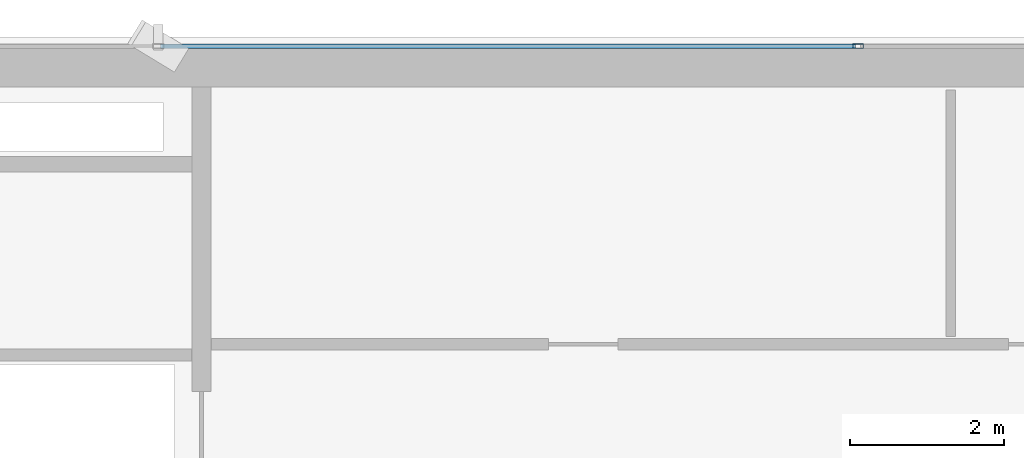
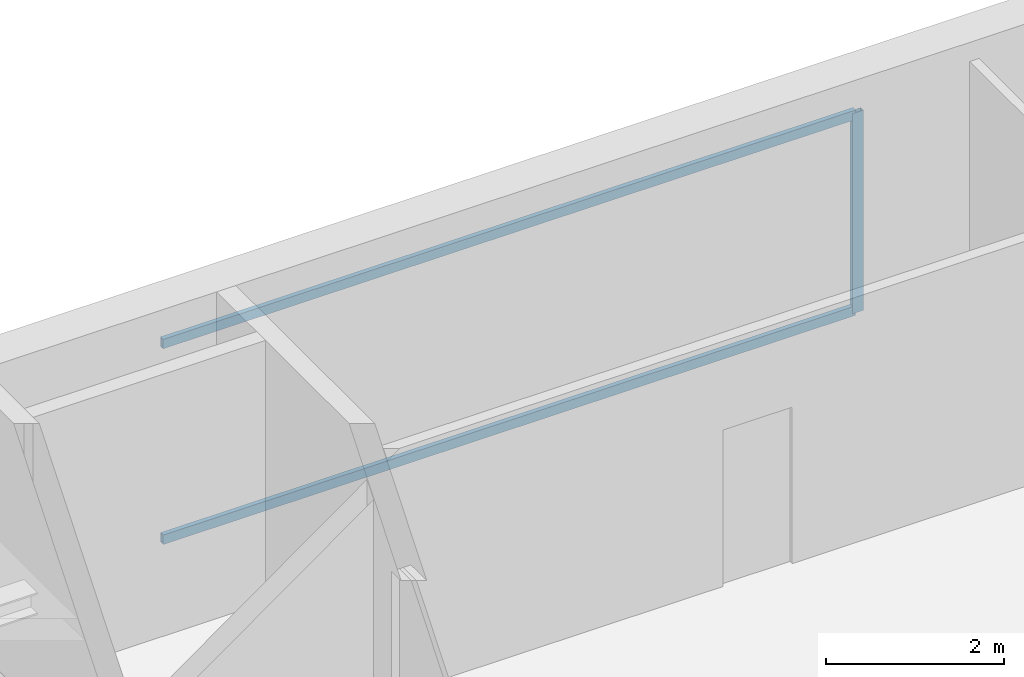
# One storey, part 16 of 26: 3 members, 1 element without a shape of its own.
"""IFC4 building model written with IfcOpenShell, lengths in metres."""

import ifcopenshell
import ifcopenshell.guid

model = None  # the IFC model being written
_history = None  # IfcOwnerHistory: only IFC2X3 demands one
_inside = {}  # id of a spatial element -> (the spatial element, [elements in it])
_under = {}  # id of a project, library or spatial element -> (it, [spatial elements below it])
_declared = {}  # id of a project -> (the project, [libraries it declares])
_typed = {}  # id of a type object -> (the type object, [elements of that type])
_made_of = {}  # id of a material, layer set ... -> (it, [elements and type objects made of it])


def new_model(schema):
    """Start an empty IFC model of exactly this schema.

    Asked for "IFC4X3", IfcOpenShell would pick the latest addendum, in which some entities
    have other attributes; the version numbers below select the first issue.
    IFC2X3 requires an IfcOwnerHistory on every rooted entity: one is made here for all.
    """
    global model, _history
    if schema == "IFC4X3":
        model = ifcopenshell.file(schema_version=(4, 3, 0, 0))
    else:
        model = ifcopenshell.file(schema=schema)
    _inside.clear()
    _under.clear()
    _declared.clear()
    _typed.clear()
    _made_of.clear()
    _history = None
    if model.schema == "IFC2X3":
        org = make("IfcOrganization", Name="unknown")
        user = make(
            "IfcPersonAndOrganization",
            ThePerson=make("IfcPerson", FamilyName="unknown"),
            TheOrganization=org,
        )
        app = make(
            "IfcApplication",
            ApplicationDeveloper=org,
            Version="unknown",
            ApplicationFullName="unknown",
            ApplicationIdentifier="unknown",
        )
        _history = make(
            "IfcOwnerHistory",
            OwningUser=user,
            OwningApplication=app,
            ChangeAction="ADDED",
            CreationDate=0,
        )
    return model


def make(cls, **values):
    """One entity of the class cls with the attributes given. An attribute that is None is left unset."""
    return model.create_entity(
        cls, **{name: value for name, value in values.items() if value is not None}
    )


def rooted(cls, **values):
    """An entity with a GlobalId (a new one), such as an element, a storey or a relation."""
    return make(cls, GlobalId=ifcopenshell.guid.new(), OwnerHistory=_history, **values)


def si_unit(unit_type, name, prefix=None):
    """IfcSIUnit, for example si_unit("LENGTHUNIT", "METRE", prefix="MILLI")."""
    return make("IfcSIUnit", UnitType=unit_type, Prefix=prefix, Name=name)


def assignment(units):
    """IfcUnitAssignment: the units of a project."""
    return None if units is None else make("IfcUnitAssignment", Units=units)


def point(xyz):
    """IfcCartesianPoint."""
    return None if xyz is None else make("IfcCartesianPoint", Coordinates=xyz)


def direction(xyz):
    """IfcDirection."""
    return None if xyz is None else make("IfcDirection", DirectionRatios=xyz)


def frame(location, z_axis=None, x_axis=None):
    """IfcAxis2Placement3D, a coordinate frame: its origin and axes. An axis left out is left unset."""
    return make(
        "IfcAxis2Placement3D",
        Location=point(location),
        Axis=direction(z_axis),
        RefDirection=direction(x_axis),
    )


def frame_2d(location, x_axis=None):
    """IfcAxis2Placement2D, a coordinate frame in the plane: its origin and x axis."""
    return make(
        "IfcAxis2Placement2D", Location=point(location), RefDirection=direction(x_axis)
    )


def origin():
    """The frame at (0, 0, 0) with its axes left unset."""
    return frame((0.0, 0.0, 0.0))


def origin_2d():
    """The frame at (0, 0) in the plane with its x axis left unset."""
    return frame_2d((0.0, 0.0))


def place(relative_to, where):
    """IfcLocalPlacement: puts the frame where relative to a parent placement (None: the world)."""
    return make(
        "IfcLocalPlacement", PlacementRelTo=relative_to, RelativePlacement=where
    )


def context(
    kind, dimensions, precision=None, world=None, true_north=None, identifier=None
):
    """IfcGeometricRepresentationContext, for example the 3D "Model" context."""
    return make(
        "IfcGeometricRepresentationContext",
        ContextIdentifier=identifier,
        ContextType=kind,
        CoordinateSpaceDimension=dimensions,
        Precision=precision,
        WorldCoordinateSystem=world,
        TrueNorth=true_north,
    )


def subcontext(parent, identifier, kind, view, scale=None):
    """IfcGeometricRepresentationSubContext, for example "Body" below "Model"."""
    return make(
        "IfcGeometricRepresentationSubContext",
        ContextIdentifier=identifier,
        ContextType=kind,
        ParentContext=parent,
        TargetScale=scale,
        TargetView=view,
    )


def project(units=None, contexts=None):
    """IfcProject with its units and contexts."""
    return rooted(
        "IfcProject",
        Name="project",
        RepresentationContexts=contexts,
        UnitsInContext=assignment(units),
    )


def spatial(cls, under=None, at=None, **own):
    """A site, building, storey or space (cls), placed at a placement, below another one or the project."""
    s = rooted(cls, ObjectPlacement=at, **own)
    if under is not None:
        _under.setdefault(under.id(), (under, []))[1].append(s)
    return s


def profile(cls, at=None, kind="AREA", **sizes):
    """A parametric profile (cls). Its sizes go by their IFC names, for example OverallWidth=200.0."""
    return make(cls, ProfileType=kind, Position=at, **sizes)


def hollow_rectangle(**sizes):
    """IfcRectangleHollowProfileDef."""
    return profile("IfcRectangleHollowProfileDef", **sizes)


def extrude(swept, where, along, depth):
    """IfcExtrudedAreaSolid: the profile swept, set in the frame where, extruded along a direction by depth."""
    return make(
        "IfcExtrudedAreaSolid",
        SweptArea=swept,
        Position=where,
        ExtrudedDirection=direction(along),
        Depth=depth,
    )


def shape(context_of_items, identifier, shape_type, items):
    """IfcShapeRepresentation: the items that make up one representation, for example the "Body"."""
    return make(
        "IfcShapeRepresentation",
        ContextOfItems=context_of_items,
        RepresentationIdentifier=identifier,
        RepresentationType=shape_type,
        Items=items,
    )


def source(mapping_origin, context_of_items, identifier, shape_type, items):
    """IfcRepresentationMap: a shape defined once, which mapped items show again and again."""
    return make(
        "IfcRepresentationMap",
        MappingOrigin=mapping_origin,
        MappedRepresentation=shape(context_of_items, identifier, shape_type, items),
    )


def transform(
    local_origin,
    x_axis=None,
    y_axis=None,
    z_axis=None,
    scale=None,
    scale2=None,
    scale3=None,
    uniform=True,
):
    """IfcCartesianTransformationOperator3D, or its non-uniform kind. x_axis, y_axis, z_axis: its Axis1, 2, 3."""
    if uniform:
        return make(
            "IfcCartesianTransformationOperator3D",
            Axis1=direction(x_axis),
            Axis2=direction(y_axis),
            LocalOrigin=point(local_origin),
            Scale=scale,
            Axis3=direction(z_axis),
        )
    return make(
        "IfcCartesianTransformationOperator3DnonUniform",
        Axis1=direction(x_axis),
        Axis2=direction(y_axis),
        LocalOrigin=point(local_origin),
        Scale=scale,
        Axis3=direction(z_axis),
        Scale2=scale2,
        Scale3=scale3,
    )


def mapped(mapping_source, mapping_target):
    """IfcMappedItem: shows the shape of a source again, moved by a transform."""
    return make(
        "IfcMappedItem", MappingSource=mapping_source, MappingTarget=mapping_target
    )


def material(Name=None, Category=None):
    """IfcMaterial."""
    return make("IfcMaterial", Name=Name, Category=Category)


def layer(
    of_material, thickness, ventilated=None, Name=None, Category=None, Priority=None
):
    """IfcMaterialLayer: one layer of a wall or slab, of a material (None: an air gap)."""
    return make(
        "IfcMaterialLayer",
        Material=of_material,
        LayerThickness=thickness,
        IsVentilated=ventilated,
        Name=Name,
        Category=Category,
        Priority=Priority,
    )


def layer_set(layers, Name=None):
    """IfcMaterialLayerSet."""
    return make("IfcMaterialLayerSet", MaterialLayers=layers, LayerSetName=Name)


def material_profile(
    of_material, cross_section, Name=None, Category=None, Priority=None
):
    """IfcMaterialProfile: a cross section and its material."""
    return make(
        "IfcMaterialProfile",
        Name=Name,
        Material=of_material,
        Profile=cross_section,
        Priority=Priority,
        Category=Category,
    )


def profile_set(profiles, Name=None, composite=None):
    """IfcMaterialProfileSet."""
    return make(
        "IfcMaterialProfileSet",
        Name=Name,
        MaterialProfiles=profiles,
        CompositeProfile=composite,
    )


def made_of(thing, what):
    """Note that an element or type object is made of a material, layer set ...; save() writes the relation."""
    if what is not None:
        _made_of.setdefault(what.id(), (what, []))[1].append(thing)
    return thing


def type_object(cls, material=None, **own):
    """A type object (cls), such as IfcWallType, which elements share."""
    return made_of(rooted(cls, **own), material)


def element(
    cls,
    number,
    at=None,
    inside=None,
    cuts=None,
    type_object=None,
    material=None,
    context=None,
    identifier="Body",
    shape_type=None,
    held_by="IfcProductDefinitionShape",
    body=None,
    shapes=None,
    **own,
):
    """One element of the class cls, such as IfcWall. Its Tag is "e" and its number.

    at: its placement. inside: the storey or other place that contains it. cuts: it is an
    opening in that element (IfcRelVoidsElement). A single representation is given by context,
    identifier, shape_type and body (its items); several are given by shapes. held_by: the class
    of the entity that holds the representations. save() writes the other relations.
    """
    e = rooted(cls, Tag="e%d" % number, ObjectPlacement=at, **own)
    if body is not None:
        shapes = [shape(context, identifier, shape_type, body)]
    if shapes is not None:
        e.Representation = make(held_by, Representations=shapes)
    if inside is not None:
        _inside.setdefault(inside.id(), (inside, []))[1].append(e)
    if cuts is not None:
        rooted(
            "IfcRelVoidsElement", RelatingBuildingElement=cuts, RelatedOpeningElement=e
        )
    if type_object is not None:
        _typed.setdefault(type_object.id(), (type_object, []))[1].append(e)
    return made_of(e, material)


def aggregate(whole, parts):
    """IfcRelAggregates: a whole, such as a stair, and the parts it consists of."""
    return rooted("IfcRelAggregates", RelatingObject=whole, RelatedObjects=parts)


def save(model, path):
    """Write the relations noted so far, then the file.

    IfcRelAggregates (storeys below a building ...), IfcRelContainedInSpatialStructure (elements
    in a storey), IfcRelDefinesByType, IfcRelAssociatesMaterial and IfcRelDeclares: one each for
    every whole, place, type object, material and project.
    """
    for whole, parts in _under.values():
        aggregate(whole, parts)
    for where, things in _inside.values():
        rooted(
            "IfcRelContainedInSpatialStructure",
            RelatedElements=things,
            RelatingStructure=where,
        )
    for kind, things in _typed.values():
        rooted("IfcRelDefinesByType", RelatedObjects=things, RelatingType=kind)
    for what, things in _made_of.values():
        rooted("IfcRelAssociatesMaterial", RelatedObjects=things, RelatingMaterial=what)
    for by, libraries in _declared.values():
        rooted("IfcRelDeclares", RelatingContext=by, RelatedDefinitions=libraries)
    model.write(path)


model = new_model("IFC4")

# Units and contexts
model_context = context("Model", 3, precision=1e-05, world=origin(), true_north=direction((0.0, 1.0)))
body_context = subcontext(model_context, "Body", "Model", "MODEL_VIEW")
ifc_project = project(units=[si_unit("LENGTHUNIT", "METRE"), si_unit("AREAUNIT", "SQUARE_METRE"), si_unit("VOLUMEUNIT", "CUBIC_METRE"), si_unit("PLANEANGLEUNIT", "RADIAN"), si_unit("MASSUNIT", "GRAM", prefix="KILO")], contexts=[model_context])

# Site, building, storey
site_placement = place(None, origin())
site = spatial("IfcSite", under=ifc_project, at=site_placement, CompositionType="ELEMENT")
building_placement = place(site_placement, origin())
building = spatial("IfcBuilding", under=site, at=building_placement, Name="Sumidabori Civic Tower", CompositionType="ELEMENT")
storey_placement = place(building_placement, frame((0.0, 0.0, 243.199951171875)))
storey = spatial("IfcBuildingStorey", under=building, at=storey_placement, Name="L63", CompositionType="ELEMENT", Elevation=243.199951171875)

# Curtain wall, members
ifc_material = material(Name="Anodised Bronze Aluminium AW-6063-T6", Category="aluminium")
ifc_layer = layer(ifc_material, 0.179931640625, Name="Anodised Bronze Aluminium AW-6063-T6")
ifc_layer_set = layer_set([ifc_layer], Name="Anodised Bronze Aluminium AW-6063-T6")
curtain_wall_type = type_object("IfcCurtainWallType", Name="CW-SYS-5", PredefinedType="NOTDEFINED", material=ifc_layer_set)
curtain_wall_placement = place(storey_placement, origin())
curtain_wall = element("IfcCurtainWall", 1, at=curtain_wall_placement, inside=storey, type_object=curtain_wall_type, Name="Curtain Wall CW:L63:R07", PredefinedType="NOTDEFINED")
ifc_material_profile_1 = material_profile(ifc_material, hollow_rectangle(XDim=0.06005859375, YDim=0.139892578125, WallThickness=0.0048828125, at=origin_2d()), Name="ALU MULLION 140x60")
ifc_profile_set_1 = profile_set([ifc_material_profile_1], Name="Anodised Bronze Aluminium AW-6063-T6")
member_type_1 = type_object("IfcMemberType", Name="CW-MUL-140", PredefinedType="MULLION", material=ifc_profile_set_1)
shared_shape_1 = source(origin(), body_context, "Body", "SweptSolid", [
    extrude(hollow_rectangle(XDim=0.06005859375, YDim=0.139892578125, WallThickness=0.0048828125, at=origin_2d()), origin(), (0.0, 0.0, 1.0), 2.75),
])
member_1_placement = place(storey_placement, frame((0.0, 24.080078125, 0.0), z_axis=(0.0, 0.0, 1.0), x_axis=(0.0, -1.0, 0.0)))
member_1 = element("IfcMember", 2, at=member_1_placement, type_object=member_type_1, Name="CW-5 mullion 3", PredefinedType="MULLION", context=body_context, shape_type="MappedRepresentation", body=[
    mapped(shared_shape_1, transform((0.0, 0.0, 0.0), x_axis=(1.0, 0.0, 0.0), y_axis=(0.0, 1.0, 0.0), z_axis=(0.0, 0.0, 1.0), scale=1.0)),
])
ifc_material_profile_2 = material_profile(ifc_material, hollow_rectangle(XDim=0.06005859375, YDim=0.1298828125, WallThickness=0.0048828125, at=origin_2d()), Name="ALU TRANSOM 130x60")
ifc_profile_set_2 = profile_set([ifc_material_profile_2], Name="Anodised Bronze Aluminium AW-6063-T6")
member_type_2 = type_object("IfcMemberType", Name="CW-TRN-130", PredefinedType="USERDEFINED", material=ifc_profile_set_2)
shared_shape_2 = source(origin(), body_context, "Body", "SweptSolid", [
    extrude(hollow_rectangle(XDim=0.06005859375, YDim=0.1298828125, WallThickness=0.0048828125, at=origin_2d()), origin(), (0.0, 0.0, 1.0), 9.0),
])
member_2_placement = place(storey_placement, frame((-0.030029296875, 24.080078125, 0.030029296875), z_axis=(-1.0, 0.0, 0.0), x_axis=(0.0, -1.0, 0.0)))
member_2 = element("IfcMember", 3, at=member_2_placement, type_object=member_type_2, Name="CW-5 transom 3.1", ObjectType="TRANSOM", PredefinedType="USERDEFINED", context=body_context, shape_type="MappedRepresentation", body=[
    mapped(shared_shape_2, transform((0.0, 0.0, 0.0), x_axis=(1.0, 0.0, 0.0), y_axis=(0.0, 1.0, 0.0), z_axis=(0.0, 0.0, 1.0), scale=1.0)),
])
member_3_placement = place(storey_placement, frame((-0.030029296875, 24.080078125, 2.719970703125), z_axis=(-1.0, 0.0, 0.0), x_axis=(0.0, -1.0, 0.0)))
member_3 = element("IfcMember", 4, at=member_3_placement, type_object=member_type_2, Name="CW-5 transom 3.2", ObjectType="TRANSOM", PredefinedType="USERDEFINED", context=body_context, shape_type="MappedRepresentation", body=[
    mapped(shared_shape_2, transform((0.0, 0.0, 0.0), x_axis=(1.0, 0.0, 0.0), y_axis=(0.0, 1.0, 0.0), z_axis=(0.0, 0.0, 1.0), scale=1.0)),
])
aggregate(curtain_wall, [member_1, member_2, member_3])

save(model, "model.ifc")
